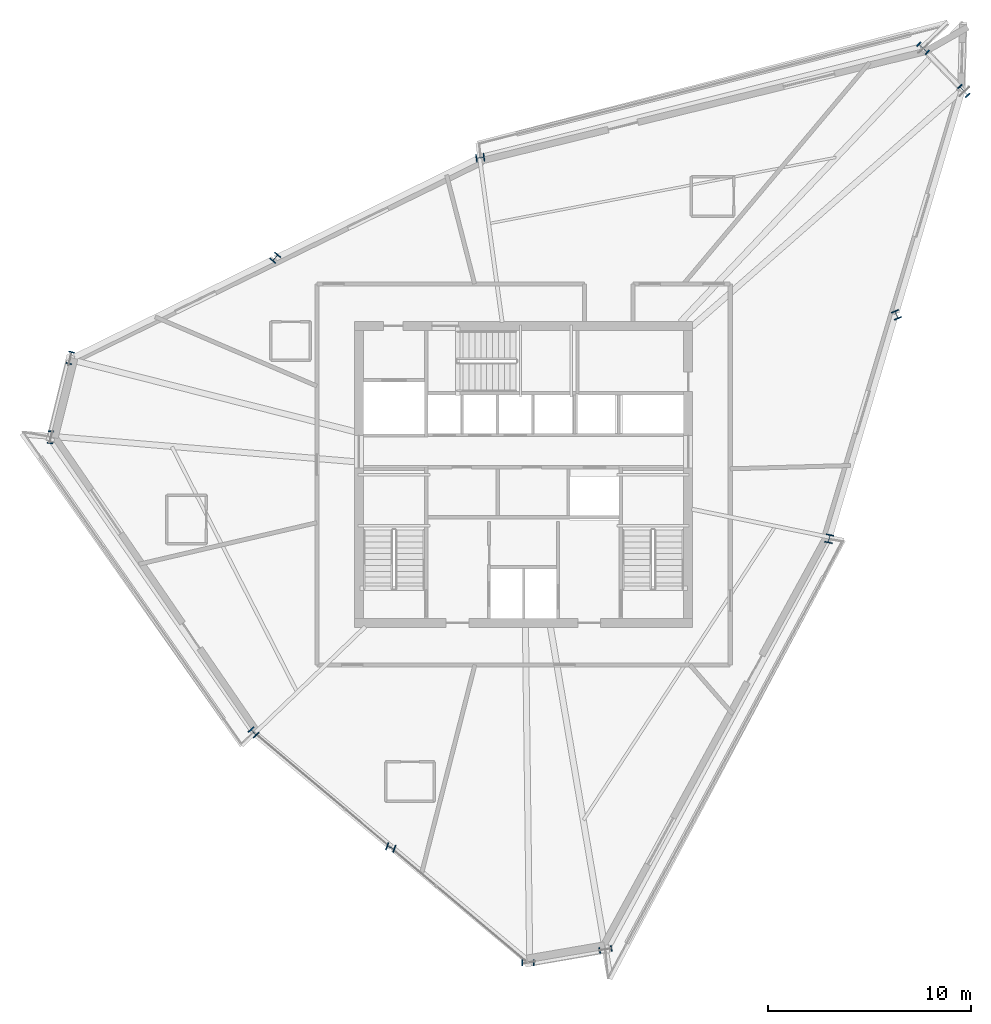
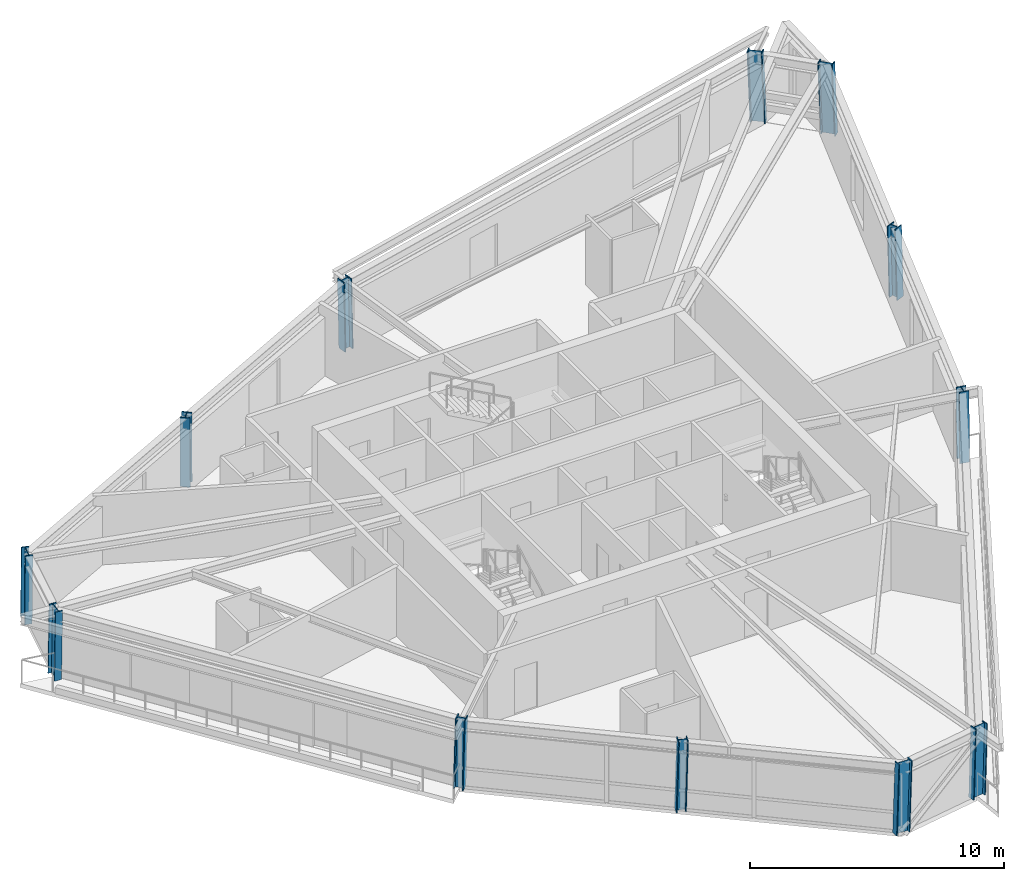
# One storey, part 1 of 14: 12 columns.
"""IFC4 building model written with IfcOpenShell, lengths in metres."""

from ifc_helpers import new_model, si_unit, direction, frame, origin, origin_2d, place, context, subcontext, project, spatial, i_section, extrude, source, transform, mapped, material, material_profile, profile_set, type_object, element, save


model = new_model("IFC4")

# Units and contexts
model_context = context("Model", 3, precision=1e-05, world=origin(), true_north=direction((0.0, 1.0)))
body_context = subcontext(model_context, "Body", "Model", "MODEL_VIEW")
ifc_project = project(units=[si_unit("LENGTHUNIT", "METRE"), si_unit("AREAUNIT", "SQUARE_METRE"), si_unit("VOLUMEUNIT", "CUBIC_METRE"), si_unit("PLANEANGLEUNIT", "RADIAN"), si_unit("MASSUNIT", "GRAM", prefix="KILO")], contexts=[model_context])

# Site, building, storey
site_placement = place(None, origin())
site = spatial("IfcSite", under=ifc_project, at=site_placement, CompositionType="ELEMENT")
building_placement = place(site_placement, origin())
building = spatial("IfcBuilding", under=site, at=building_placement, Name="Olszyna Solenne Hotel", CompositionType="ELEMENT")
storey_placement = place(building_placement, frame((0.0, 0.0, 216.699951171875)))
storey = spatial("IfcBuildingStorey", under=building, at=storey_placement, Name="L57", CompositionType="ELEMENT", Elevation=216.699951171875)

# Columns
ifc_material = material(Name="Steel S460M", Category="steel")
ifc_material_profile_1 = material_profile(ifc_material, i_section(OverallWidth=0.304931640625, OverallDepth=0.6201171875, WebThickness=0.02099609375, FlangeThickness=0.0400390625, at=origin_2d()), Name="HEM 600", Category="load-bearing")
ifc_profile_set_1 = profile_set([ifc_material_profile_1], Name="Steel S460M")
column_type_1 = type_object("IfcColumnType", Name="COL-K3", PredefinedType="COLUMN", material=ifc_profile_set_1)
shared_shape_1 = source(origin(), body_context, "Body", "SweptSolid", [
    extrude(i_section(OverallWidth=0.304931640625, OverallDepth=0.6201171875, WebThickness=0.02099609375, FlangeThickness=0.0400390625, at=origin_2d()), origin(), (0.0, 0.0, 1.0), 3.387451171875),
])
for number, where, z_axis, x_axis, name in (
    (1, (59.73828125, 45.50341796875, 0.0), (-0.02436120738, 0.027892861705, 0.999314024639), (-0.75317918452, -0.657815411803, 0.0), "Perimeter framed-tube column COL-K3 C-L57-01"),
    (2, (57.733154296875, 47.60888671875, 0.0), (-0.027171973362, 0.025370118364, 0.999308781587), (-0.682456394701, -0.730926309098, 0.0), "Perimeter framed-tube column COL-K3 C-L57-02"),
):
    element("IfcColumn", number, at=place(storey_placement, frame(where, z_axis=z_axis, x_axis=x_axis)), inside=storey, type_object=column_type_1, Name=name, PredefinedType="COLUMN", context=body_context, shape_type="MappedRepresentation", body=[
        mapped(shared_shape_1, transform((0.0, 0.0, 0.0), x_axis=(1.0, 0.0, 0.0), y_axis=(0.0, 1.0, 0.0), z_axis=(0.0, 0.0, 1.0), scale=1.0)),
    ])
ifc_material_profile_2 = material_profile(ifc_material, i_section(OverallWidth=0.406005859375, OverallDepth=0.416015625, WebThickness=0.026611328125, FlangeThickness=0.04150390625, at=origin_2d()), Name="HD 400x382", Category="load-bearing")
ifc_profile_set_2 = profile_set([ifc_material_profile_2], Name="Steel S460M")
column_type_2 = type_object("IfcColumnType", Name="COL-T4", PredefinedType="COLUMN", material=ifc_profile_set_2)
shared_shape_2 = source(origin(), body_context, "Body", "SweptSolid", [
    extrude(i_section(OverallWidth=0.406005859375, OverallDepth=0.416015625, WebThickness=0.026611328125, FlangeThickness=0.04150390625, at=origin_2d()), origin(), (0.0, 0.0, 1.0), 3.3857421875),
])
for number, where, z_axis, x_axis, name in (
    (3, (35.875, 42.2255859375, 0.0), (-0.02011846258, -0.002740149025, 0.999793848274), (0.134954720894, -0.990851766567, 0.0), "Perimeter framed-tube column COL-T4 C-L57-03"),
    (4, (25.756103515625, 37.296630859375, 0.0), (-0.013700575007, -0.015791715403, 0.999781434099), (0.755347574146, -0.655324379396, 0.0), "Perimeter framed-tube column COL-T4 C-L57-04"),
    (5, (53.077392578125, 23.413818359375, 0.0), (0.004038154122, 0.019397561765, 0.999803694687), (-0.979010687194, 0.203808916293, 0.0), "Perimeter framed-tube column COL-T4 C-L57-11"),
):
    element("IfcColumn", number, at=place(storey_placement, frame(where, z_axis=z_axis, x_axis=x_axis)), inside=storey, type_object=column_type_2, Name=name, PredefinedType="COLUMN", context=body_context, shape_type="MappedRepresentation", body=[
        mapped(shared_shape_2, transform((0.0, 0.0, 0.0), x_axis=(1.0, 0.0, 0.0), y_axis=(0.0, 1.0, 0.0), z_axis=(0.0, 0.0, 1.0), scale=1.0)),
    ])
shared_shape_3 = source(origin(), body_context, "Body", "SweptSolid", [
    extrude(i_section(OverallWidth=0.304931640625, OverallDepth=0.6201171875, WebThickness=0.02099609375, FlangeThickness=0.0400390625, at=origin_2d()), origin(), (0.0, 0.0, 1.0), 3.386474609375),
])
for number, where, z_axis, x_axis, name in (
    (6, (15.63720703125, 32.367431640625, 0.0), (-0.007353410332, -0.028764811004, 0.999559159332), (0.968843366507, -0.247674244069, 0.0), "Perimeter framed-tube column COL-K3 C-L57-05"),
    (7, (14.665771484375, 28.456298828125, 0.0), (-0.00230692044, -0.030062056989, 0.999545372081), (0.997068533746, -0.07651365247, 0.0), "Perimeter framed-tube column COL-K3 C-L57-06"),
):
    element("IfcColumn", number, at=place(storey_placement, frame(where, z_axis=z_axis, x_axis=x_axis)), inside=storey, type_object=column_type_1, Name=name, PredefinedType="COLUMN", context=body_context, shape_type="MappedRepresentation", body=[
        mapped(shared_shape_3, transform((0.0, 0.0, 0.0), x_axis=(1.0, 0.0, 0.0), y_axis=(0.0, 1.0, 0.0), z_axis=(0.0, 0.0, 1.0), scale=1.0)),
    ])
shared_shape_4 = source(origin(), body_context, "Body", "SweptSolid", [
    extrude(i_section(OverallWidth=0.406005859375, OverallDepth=0.416015625, WebThickness=0.026611328125, FlangeThickness=0.04150390625, at=origin_2d()), origin(), (0.0, 0.0, 1.0), 3.385986328125),
])
for number, where, z_axis, x_axis, name in (
    (8, (24.669921875, 13.88134765625, 0.0), (0.016439640053, -0.017160676898, 0.999717584822), (0.722114499284, 0.691773553935, 0.0), "Perimeter framed-tube column COL-T4 C-L57-07"),
    (9, (31.434814453125, 8.1923828125, 0.0), (0.023793352393, -0.008435824939, 0.999681305837), (0.334164346013, 0.942514822087, 0.0), "Perimeter framed-tube column COL-T4 C-L57-08"),
):
    element("IfcColumn", number, at=place(storey_placement, frame(where, z_axis=z_axis, x_axis=x_axis)), inside=storey, type_object=column_type_2, Name=name, PredefinedType="COLUMN", context=body_context, shape_type="MappedRepresentation", body=[
        mapped(shared_shape_4, transform((0.0, 0.0, 0.0), x_axis=(1.0, 0.0, 0.0), y_axis=(0.0, 1.0, 0.0), z_axis=(0.0, 0.0, 1.0), scale=1.0)),
    ])
shared_shape_5 = source(origin(), body_context, "Body", "SweptSolid", [
    extrude(i_section(OverallWidth=0.304931640625, OverallDepth=0.6201171875, WebThickness=0.02099609375, FlangeThickness=0.0400390625, at=origin_2d()), origin(), (0.0, 0.0, 1.0), 3.38671875),
])
for number, where, z_axis, x_axis, name in (
    (10, (38.19970703125, 2.50341796875, 0.0), (0.031070457547, 0.000288356915, 0.99951715519), (-0.0092803428, 0.999956936692, 0.0), "Perimeter framed-tube column COL-K3 C-L57-09"),
    (11, (42.025634765625, 3.16064453125, 0.0), (0.030205770374, 0.005262580519, 0.99952984782), (-0.17163884395, 0.985159939932, 0.0), "Perimeter framed-tube column COL-K3 C-L57-10"),
):
    element("IfcColumn", number, at=place(storey_placement, frame(where, z_axis=z_axis, x_axis=x_axis)), inside=storey, type_object=column_type_1, Name=name, PredefinedType="COLUMN", context=body_context, shape_type="MappedRepresentation", body=[
        mapped(shared_shape_5, transform((0.0, 0.0, 0.0), x_axis=(1.0, 0.0, 0.0), y_axis=(0.0, 1.0, 0.0), z_axis=(0.0, 0.0, 1.0), scale=1.0)),
    ])
shared_shape_6 = source(origin(), body_context, "Body", "SweptSolid", [
    extrude(i_section(OverallWidth=0.406005859375, OverallDepth=0.416015625, WebThickness=0.026611328125, FlangeThickness=0.04150390625, at=origin_2d()), origin(), (0.0, 0.0, 1.0), 3.38623046875),
])
column_placement = place(storey_placement, frame((56.40771484375, 34.45849609375, 0.0), z_axis=(-0.010166104362, 0.023720910177, 0.999666928903), x_axis=(-0.919145030018, -0.393919298579, 0.0)))
element("IfcColumn", 12, at=column_placement, inside=storey, type_object=column_type_2, Name="Perimeter framed-tube column COL-T4 C-L57-12", PredefinedType="COLUMN", context=body_context, shape_type="MappedRepresentation", body=[
    mapped(shared_shape_6, transform((0.0, 0.0, 0.0), x_axis=(1.0, 0.0, 0.0), y_axis=(0.0, 1.0, 0.0), z_axis=(0.0, 0.0, 1.0), scale=1.0)),
])

save(model, "model.ifc")
